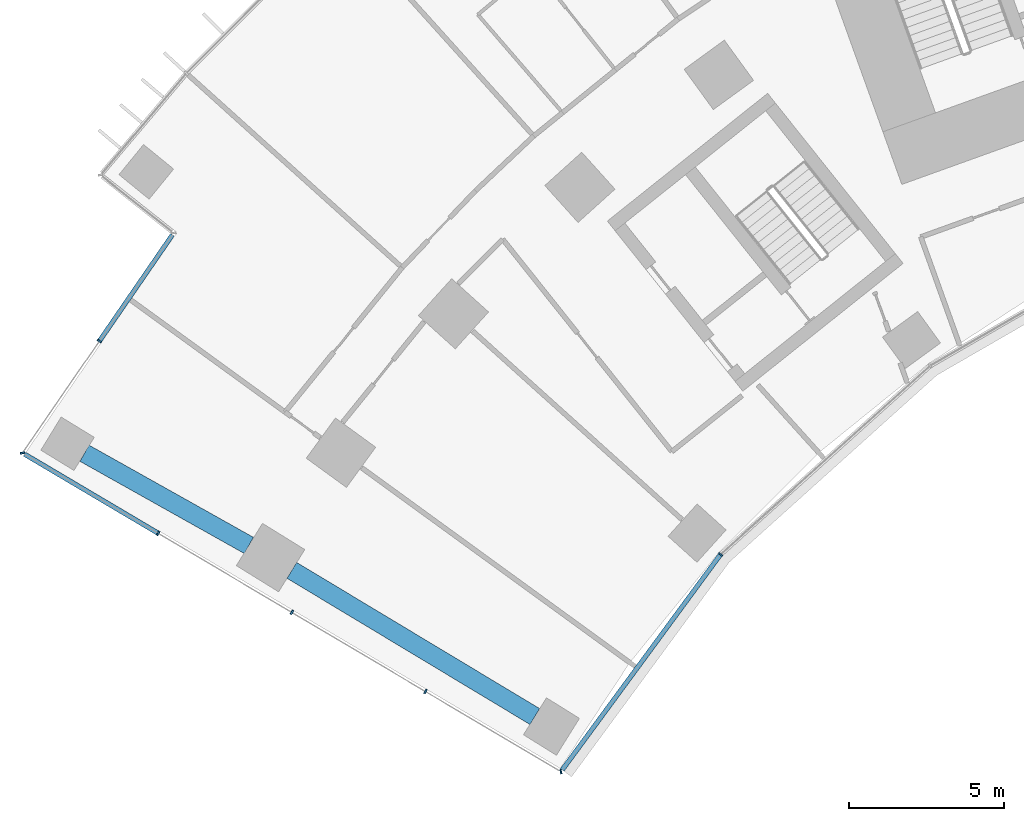
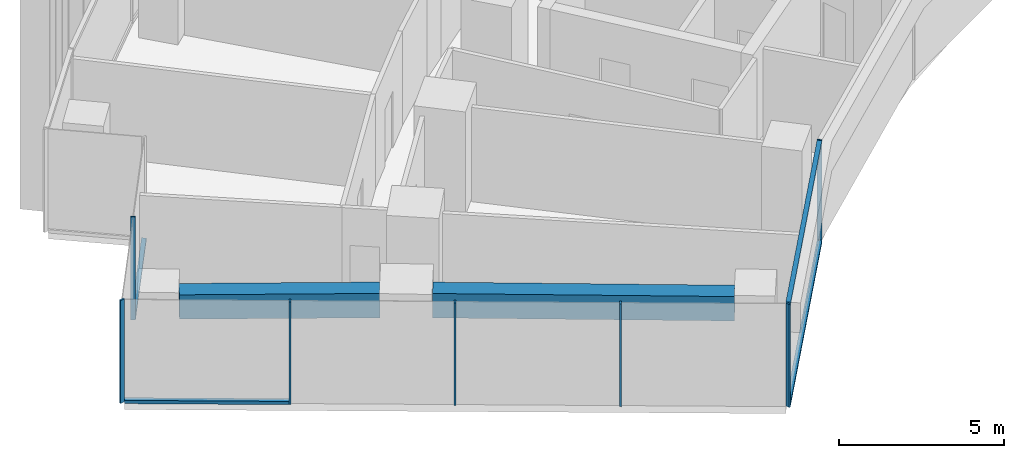
# One storey, part 2 of 24: 11 members, 2 beams, 3 elements without a shape of their own.
"""IFC4 building model written with IfcOpenShell, lengths in metres."""

from ifc_helpers import new_model, si_unit, direction, frame, origin, origin_2d, place, context, subcontext, project, spatial, rectangle, extrude, material, layer, layer_set, material_profile, profile_set, type_object, element, aggregate, save


model = new_model("IFC4")

# Units and contexts
model_context = context("Model", 3, precision=1e-05, world=origin(), true_north=direction((0.0, 1.0)))
body_context = subcontext(model_context, "Body", "Model", "MODEL_VIEW")
ifc_project = project(units=[si_unit("LENGTHUNIT", "METRE"), si_unit("AREAUNIT", "SQUARE_METRE"), si_unit("VOLUMEUNIT", "CUBIC_METRE"), si_unit("PLANEANGLEUNIT", "RADIAN"), si_unit("MASSUNIT", "GRAM", prefix="KILO")], contexts=[model_context])

# Site, building, storey
site_placement = place(None, origin())
site = spatial("IfcSite", under=ifc_project, at=site_placement, CompositionType="ELEMENT")
building_placement = place(site_placement, origin())
building = spatial("IfcBuilding", under=site, at=building_placement, Name="Stone Belt Terrace Tower", CompositionType="ELEMENT")
storey_placement = place(building_placement, frame((0.0, 0.0, 64.199951171875)))
storey = spatial("IfcBuildingStorey", under=building, at=storey_placement, Name="L15", CompositionType="ELEMENT", Elevation=64.199951171875)

# Curtain wall, members
ifc_material_1 = material(Name="Aluminium 6063-T6 anodised frame", Category="aluminium")
ifc_layer_1 = layer(ifc_material_1, 0.14990234375)
ifc_layer_set_1 = layer_set([ifc_layer_1], Name="CW-B unitised concave-face curtain wall")
curtain_wall_type_1 = type_object("IfcCurtainWallType", Name="CW-B unitised concave-face curtain wall", PredefinedType="NOTDEFINED", material=ifc_layer_set_1)
curtain_wall_1_placement = place(storey_placement, origin())
curtain_wall_1 = element("IfcCurtainWall", 1, at=curtain_wall_1_placement, inside=storey, type_object=curtain_wall_type_1, Name="CW-B concave face L15", PredefinedType="NOTDEFINED")
ifc_material_profile_1 = material_profile(ifc_material_1, rectangle(XDim=0.14990234375, YDim=0.050048828125, at=origin_2d()), Name="Aluminium 6063-T6 50x150")
ifc_profile_set_1 = profile_set([ifc_material_profile_1], Name="Aluminium 6063-T6 anodised frame")
member_type_1 = type_object("IfcMemberType", Name="CW-B mullion 50 x 150", PredefinedType="MULLION", material=ifc_profile_set_1)
member_1_placement = place(storey_placement, frame((-37.4140625, 22.0576171875, 0.0), z_axis=(0.0, 0.0, 1.0), x_axis=(-0.199957039009, 0.979804665508, 0.0)))
member_1 = element("IfcMember", 2, at=member_1_placement, type_object=member_type_1, Name="CW-B mullion 1", PredefinedType="MULLION", context=body_context, shape_type="SweptSolid", body=[
    extrude(rectangle(XDim=0.14990234375, YDim=0.050048828125, at=origin_2d()), origin(), (0.0, 0.0, 1.0), 3.800048828125),
])
member_2_placement = place(storey_placement, frame((-32.27099609375, 29.056640625, 0.0), z_axis=(0.0, 0.0, 1.0), x_axis=(-0.741329775891, 0.671140941515, 0.0)))
member_2 = element("IfcMember", 3, at=member_2_placement, type_object=member_type_1, Name="CW-B mullion 2", PredefinedType="MULLION", context=body_context, shape_type="SweptSolid", body=[
    extrude(rectangle(XDim=0.14990234375, YDim=0.050048828125, at=origin_2d()), origin(), (0.0, 0.0, 1.0), 3.800048828125),
])
ifc_material_profile_2 = material_profile(ifc_material_1, rectangle(XDim=0.14990234375, YDim=0.1201171875, at=origin_2d()), Name="Aluminium 6063-T6 150x120")
ifc_profile_set_2 = profile_set([ifc_material_profile_2], Name="Aluminium 6063-T6 anodised frame")
member_type_2 = type_object("IfcMemberType", Name="CW-B transom 120 x 150", PredefinedType="USERDEFINED", material=ifc_profile_set_2)
member_3_placement = place(storey_placement, frame((-37.373291015625, 22.11328125, 0.06005859375), z_axis=(0.592180847905, 0.805805090189, 0.0), x_axis=(-0.805805090189, 0.592180847905, 0.0)))
member_3 = element("IfcMember", 4, at=member_3_placement, type_object=member_type_2, Name="CW-B transom 1.1", ObjectType="TRANSOM", PredefinedType="USERDEFINED", context=body_context, shape_type="SweptSolid", body=[
    extrude(rectangle(XDim=0.14990234375, YDim=0.1201171875, at=origin_2d()), origin(), (0.0, 0.0, 1.0), 8.583984375),
])
member_4_placement = place(storey_placement, frame((-37.373291015625, 22.11328125, 3.739990234375), z_axis=(0.592180847905, 0.805805090189, 0.0), x_axis=(-0.805805090189, 0.592180847905, 0.0)))
member_4 = element("IfcMember", 5, at=member_4_placement, type_object=member_type_2, Name="CW-B transom 1.2", ObjectType="TRANSOM", PredefinedType="USERDEFINED", context=body_context, shape_type="SweptSolid", body=[
    extrude(rectangle(XDim=0.14990234375, YDim=0.1201171875, at=origin_2d()), origin(), (0.0, 0.0, 1.0), 8.583984375),
])
aggregate(curtain_wall_1, [member_1, member_2, member_3, member_4])

# Curtain wall, member
ifc_layer_2 = layer(ifc_material_1, 0.14990234375)
ifc_layer_set_2 = layer_set([ifc_layer_2], Name="CW-C stick curtain wall, horn ends and notches")
curtain_wall_type_2 = type_object("IfcCurtainWallType", Name="CW-C stick curtain wall, horn ends and notches", PredefinedType="NOTDEFINED", material=ifc_layer_set_2)
curtain_wall_2_placement = place(storey_placement, origin())
curtain_wall_2 = element("IfcCurtainWall", 6, at=curtain_wall_2_placement, inside=storey, type_object=curtain_wall_type_2, Name="CW-C notch face L15", PredefinedType="NOTDEFINED")
ifc_material_profile_3 = material_profile(ifc_material_1, rectangle(XDim=0.14990234375, YDim=0.06005859375, at=origin_2d()), Name="Aluminium 6063-T6 60x150")
ifc_profile_set_3 = profile_set([ifc_material_profile_3], Name="Aluminium 6063-T6 anodised frame")
member_type_3 = type_object("IfcMemberType", Name="CW-C mullion 60 x 150", PredefinedType="MULLION", material=ifc_profile_set_3)
member_5_placement = place(storey_placement, frame((-52.275390625, 35.925048828125, 0.0), z_axis=(0.0, 0.0, 1.0), x_axis=(0.824146991357, -0.566375967567, 0.0)))
member_5 = element("IfcMember", 7, at=member_5_placement, type_object=member_type_3, Name="CW-C mullion 2", PredefinedType="MULLION", context=body_context, shape_type="SweptSolid", body=[
    extrude(rectangle(XDim=0.14990234375, YDim=0.06005859375, at=origin_2d()), origin(), (0.0, 0.0, 1.0), 3.800048828125),
])

# Curtain wall, members
curtain_wall_3_placement = place(storey_placement, origin())
curtain_wall_3 = element("IfcCurtainWall", 8, at=curtain_wall_3_placement, inside=storey, type_object=curtain_wall_type_2, Name="CW-C end face L15", PredefinedType="NOTDEFINED")
member_6_placement = place(storey_placement, frame((-54.752685546875, 32.3203125, 0.0), z_axis=(0.0, 0.0, 1.0), x_axis=(0.976519557331, 0.215428768157, 0.0)))
member_6 = element("IfcMember", 9, at=member_6_placement, type_object=member_type_3, Name="CW-C mullion 1", PredefinedType="MULLION", context=body_context, shape_type="SweptSolid", body=[
    extrude(rectangle(XDim=0.14990234375, YDim=0.06005859375, at=origin_2d()), origin(), (0.0, 0.0, 1.0), 3.800048828125),
])
member_7_placement = place(storey_placement, frame((-50.380859375, 29.732666015625, 0.0), z_axis=(0.0, 0.0, 1.0), x_axis=(0.509352918793, 0.860557728521, 0.0)))
member_7 = element("IfcMember", 10, at=member_7_placement, type_object=member_type_3, Name="CW-C mullion 2", PredefinedType="MULLION", context=body_context, shape_type="SweptSolid", body=[
    extrude(rectangle(XDim=0.14990234375, YDim=0.06005859375, at=origin_2d()), origin(), (0.0, 0.0, 1.0), 3.800048828125),
])
member_8_placement = place(storey_placement, frame((-46.078125, 27.185791015625, 0.0), z_axis=(0.0, 0.0, 1.0), x_axis=(0.509352918793, 0.860557728521, 0.0)))
member_8 = element("IfcMember", 11, at=member_8_placement, type_object=member_type_3, Name="CW-C mullion 3", PredefinedType="MULLION", context=body_context, shape_type="SweptSolid", body=[
    extrude(rectangle(XDim=0.14990234375, YDim=0.06005859375, at=origin_2d()), origin(), (0.0, 0.0, 1.0), 3.800048828125),
])
member_9_placement = place(storey_placement, frame((-41.775146484375, 24.63916015625, 0.0), z_axis=(0.0, 0.0, 1.0), x_axis=(0.509352918793, 0.860557728521, 0.0)))
member_9 = element("IfcMember", 12, at=member_9_placement, type_object=member_type_3, Name="CW-C mullion 4", PredefinedType="MULLION", context=body_context, shape_type="SweptSolid", body=[
    extrude(rectangle(XDim=0.14990234375, YDim=0.06005859375, at=origin_2d()), origin(), (0.0, 0.0, 1.0), 3.800048828125),
])

# Member
ifc_material_profile_4 = material_profile(ifc_material_1, rectangle(XDim=0.14990234375, YDim=0.1201171875, at=origin_2d()), Name="Aluminium 6063-T6 150x120")
ifc_profile_set_4 = profile_set([ifc_material_profile_4], Name="Aluminium 6063-T6 anodised frame")
member_type_4 = type_object("IfcMemberType", Name="CW-C transom 120 x 150", PredefinedType="USERDEFINED", material=ifc_profile_set_4)
member_10_placement = place(storey_placement, frame((-49.924560546875, 39.345703125, 0.06005859375), z_axis=(-0.566362850847, -0.824156005365, 0.0), x_axis=(0.824156005365, -0.566362850847, 0.0)))
member_10 = element("IfcMember", 13, at=member_10_placement, type_object=member_type_4, Name="CW-C transom 1.1", ObjectType="TRANSOM", PredefinedType="USERDEFINED", context=body_context, shape_type="SweptSolid", body=[
    extrude(rectangle(XDim=0.14990234375, YDim=0.1201171875, at=origin_2d()), origin(), (0.0, 0.0, 1.0), 4.12060546875),
])

aggregate(curtain_wall_2, [member_5, member_10])

member_11_placement = place(storey_placement, frame((-54.68798828125, 32.281982421875, 0.06005859375), z_axis=(0.860543319846, -0.509377261633, 0.0), x_axis=(0.509377261633, 0.860543319846, 0.0)))
member_11 = element("IfcMember", 14, at=member_11_placement, type_object=member_type_4, Name="CW-C transom 1.1", ObjectType="TRANSOM", PredefinedType="USERDEFINED", context=body_context, shape_type="SweptSolid", body=[
    extrude(rectangle(XDim=0.14990234375, YDim=0.1201171875, at=origin_2d()), origin(), (0.0, 0.0, 1.0), 4.97509765625),
])

aggregate(curtain_wall_3, [member_6, member_7, member_8, member_9, member_11])

# Beams
ifc_material_2 = material(Name="Concrete B60", Category="concrete")
ifc_material_profile_5 = material_profile(ifc_material_2, rectangle(XDim=0.60009765625, YDim=0.89990234375, at=origin_2d()), Name="RC 600x900")
ifc_profile_set_5 = profile_set([ifc_material_profile_5], Name="Concrete B60")
beam_type = type_object("IfcBeamType", Name="Edge beam RC 600x900 B60", PredefinedType="SPANDREL", material=ifc_profile_set_5)
beam_1_placement = place(storey_placement, frame((-38.253662109375, 23.83203125, 3.030029296875), z_axis=(-0.856900189152, 0.51548236229, 0.0), x_axis=(-0.51548236229, -0.856900189152, 0.0)))
element("IfcBeam", 15, at=beam_1_placement, inside=storey, type_object=beam_type, Name="Edge beam L15 A P to Q", PredefinedType="SPANDREL", context=body_context, shape_type="SweptSolid", body=[
    extrude(rectangle(XDim=0.60009765625, YDim=0.89990234375, at=origin_2d()), origin(), (0.0, 0.0, 1.0), 9.130859375),
])
beam_2_placement = place(storey_placement, frame((-47.4619140625, 29.3427734375, 3.030029296875), z_axis=(-0.872212947991, 0.489126336806, 0.0), x_axis=(-0.489126336806, -0.872212947991, 0.0)))
element("IfcBeam", 16, at=beam_2_placement, inside=storey, type_object=beam_type, Name="Edge beam L15 A Q to R", PredefinedType="SPANDREL", context=body_context, shape_type="SweptSolid", body=[
    extrude(rectangle(XDim=0.60009765625, YDim=0.89990234375, at=origin_2d()), origin(), (0.0, 0.0, 1.0), 6.069091796875),
])

save(model, "model.ifc")
